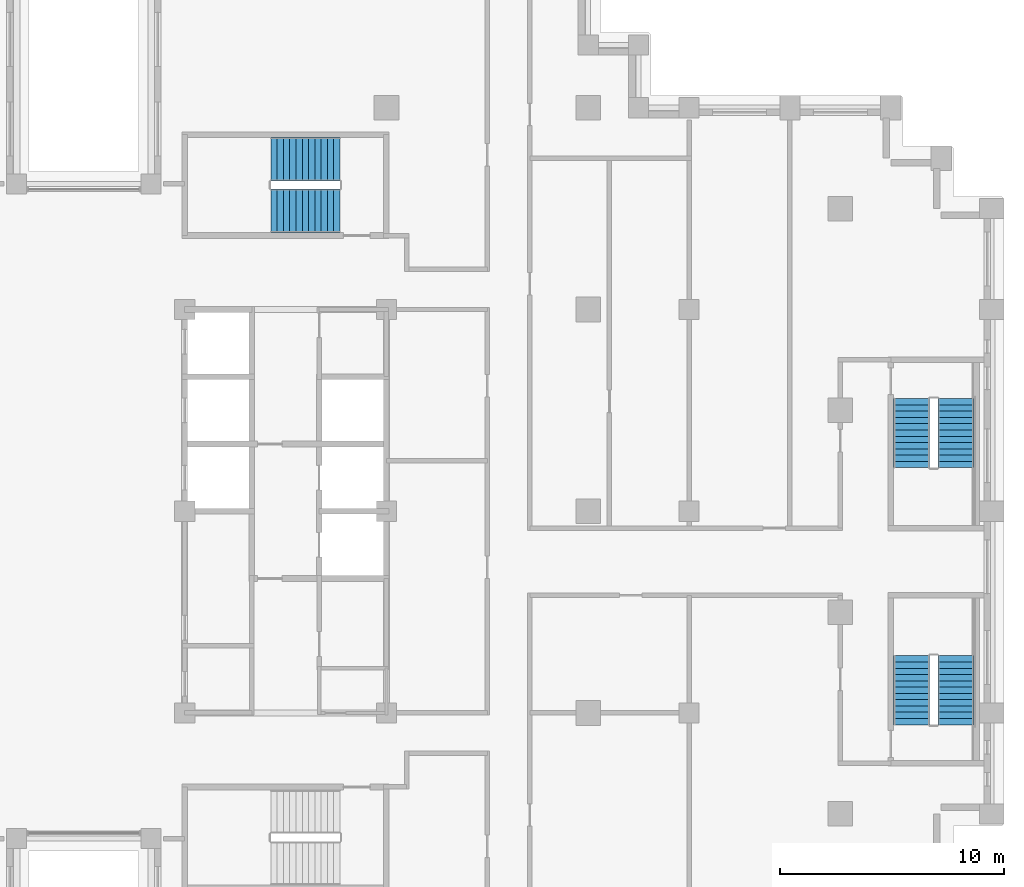
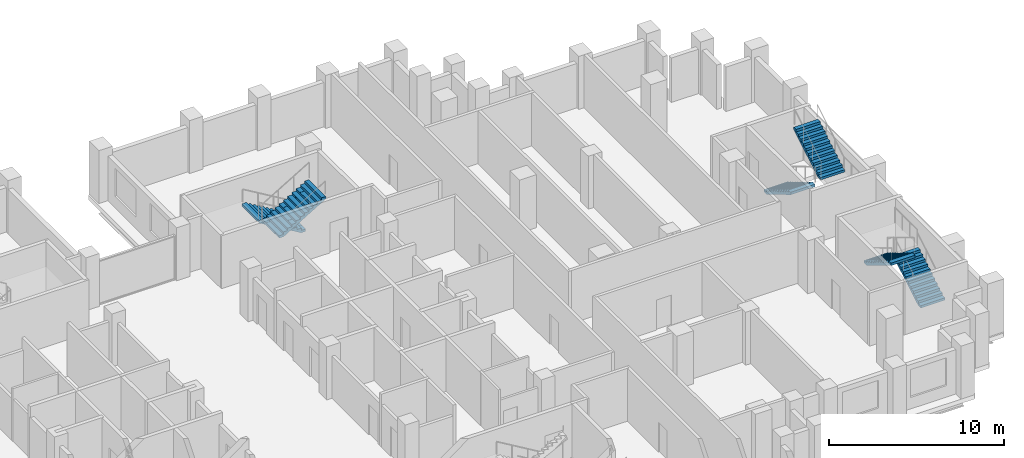
# One storey, part 14 of 16: 6 stair flights, 3 elements without a shape of their own.
"""IFC4 building model written with IfcOpenShell, lengths in metres."""

from ifc_helpers import new_model, si_unit, direction, frame, origin, place, context, subcontext, project, spatial, polyline, outline, extrude, material, type_object, element, aggregate, save


model = new_model("IFC4")

# Units and contexts
model_context = context("Model", 3, precision=1e-05, world=origin(), true_north=direction((0.0, 1.0)))
body_context = subcontext(model_context, "Body", "Model", "MODEL_VIEW")
ifc_project = project(units=[si_unit("LENGTHUNIT", "METRE"), si_unit("AREAUNIT", "SQUARE_METRE"), si_unit("VOLUMEUNIT", "CUBIC_METRE"), si_unit("PLANEANGLEUNIT", "RADIAN"), si_unit("MASSUNIT", "GRAM", prefix="KILO")], contexts=[model_context])

# Site, building, storey
site_placement = place(None, origin())
site = spatial("IfcSite", under=ifc_project, at=site_placement, CompositionType="ELEMENT")
building_placement = place(site_placement, origin())
building = spatial("IfcBuilding", under=site, at=building_placement, Name="Corbelhall Arena Tower", CompositionType="ELEMENT")
storey_placement = place(building_placement, frame((0.0, 0.0, 158.0)))
storey = spatial("IfcBuildingStorey", under=building, at=storey_placement, Name="L31", CompositionType="ELEMENT", Elevation=158.0)

# Stair, stair flights
ifc_material = material(Name="Concrete C40/50", Category="concrete")
stair_type = type_object("IfcStairType", Name="IN-ST-TOWER", PredefinedType="HALF_TURN_STAIR", material=ifc_material)
stair_1_placement = place(storey_placement, origin())
stair_1 = element("IfcStair", 1, at=stair_1_placement, inside=storey, type_object=stair_type, Name="L31 Exit stair ST3", PredefinedType="HALF_TURN_STAIR")
stair_flight_type = type_object("IfcStairFlightType", Name="IN-SFL-RC", PredefinedType="STRAIGHT", material=ifc_material)
stair_flight_1_placement = place(storey_placement, frame((11.425048828125, 15.699951171875, 0.0), z_axis=(0.0, 0.0, 1.0), x_axis=(-1.0, 0.0, 0.0)))
stair_flight_1 = element("IfcStairFlight", 2, at=stair_flight_1_placement, type_object=stair_flight_type, Name="ST3 flight 1", NumberOfRisers=12, NumberOfTreads=11, PredefinedType="STRAIGHT", RiserHeight=0.166666667, TreadLength=0.28, context=body_context, shape_type="SweptSolid", body=[
    extrude(outline(polyline([(0.0, 0.0), (0.0, 0.166748046875), (0.280029296875, 0.166748046875), (0.280029296875, 0.333251953125), (0.56005859375, 0.333251953125), (0.56005859375, 0.5), (0.840087890625, 0.5), (0.840087890625, 0.666748046875), (1.1201171875, 0.666748046875), (1.1201171875, 0.833251953125), (1.39990234375, 0.833251953125), (1.39990234375, 1.0), (1.679931640625, 1.0), (1.679931640625, 1.166748046875), (1.9599609375, 1.166748046875), (1.9599609375, 1.333251953125), (2.239990234375, 1.333251953125), (2.239990234375, 1.5), (2.52001953125, 1.5), (2.52001953125, 1.666748046875), (2.800048828125, 1.666748046875), (2.800048828125, 1.833251953125), (3.080078125, 1.833251953125), (3.080078125, 2.0), (3.080078125, 1.658935546875), (0.29296875, 0.0), (0.0, 0.0)])), frame((0.0, 0.97509765625, 0.0), z_axis=(0.0, -1.0, 0.0), x_axis=(1.0, 0.0, 0.0)), (0.0, 0.0, 1.0), 0.449951171875),
    extrude(outline(polyline([(0.0, 0.0), (0.0, 0.166748046875), (0.280029296875, 0.166748046875), (0.280029296875, 0.333251953125), (0.56005859375, 0.333251953125), (0.56005859375, 0.5), (0.840087890625, 0.5), (0.840087890625, 0.666748046875), (1.1201171875, 0.666748046875), (1.1201171875, 0.833251953125), (1.39990234375, 0.833251953125), (1.39990234375, 1.0), (1.679931640625, 1.0), (1.679931640625, 1.166748046875), (1.9599609375, 1.166748046875), (1.9599609375, 1.333251953125), (2.239990234375, 1.333251953125), (2.239990234375, 1.5), (2.52001953125, 1.5), (2.52001953125, 1.666748046875), (2.800048828125, 1.666748046875), (2.800048828125, 1.833251953125), (3.080078125, 1.833251953125), (3.080078125, 2.0), (3.080078125, 1.658935546875), (0.29296875, 0.0), (0.0, 0.0)])), frame((0.0, 0.52099609375, 0.0), z_axis=(0.0, -1.0, 0.0), x_axis=(1.0, 0.0, 0.0)), (0.0, 0.0, 1.0), 1.0419921875),
    extrude(outline(polyline([(0.0, 0.0), (0.0, 0.166748046875), (0.280029296875, 0.166748046875), (0.280029296875, 0.333251953125), (0.56005859375, 0.333251953125), (0.56005859375, 0.5), (0.840087890625, 0.5), (0.840087890625, 0.666748046875), (1.1201171875, 0.666748046875), (1.1201171875, 0.833251953125), (1.39990234375, 0.833251953125), (1.39990234375, 1.0), (1.679931640625, 1.0), (1.679931640625, 1.166748046875), (1.9599609375, 1.166748046875), (1.9599609375, 1.333251953125), (2.239990234375, 1.333251953125), (2.239990234375, 1.5), (2.52001953125, 1.5), (2.52001953125, 1.666748046875), (2.800048828125, 1.666748046875), (2.800048828125, 1.833251953125), (3.080078125, 1.833251953125), (3.080078125, 2.0), (3.080078125, 1.658935546875), (0.29296875, 0.0), (0.0, 0.0)])), frame((0.0, -0.52490234375, 0.0), z_axis=(0.0, -1.0, 0.0), x_axis=(1.0, 0.0, 0.0)), (0.0, 0.0, 1.0), 0.449951171875),
])
stair_flight_2_placement = place(storey_placement, frame((8.344970703125, 13.39990234375, 2.0), z_axis=(0.0, 0.0, 1.0), x_axis=(1.0, 0.0, 0.0)))
stair_flight_2 = element("IfcStairFlight", 3, at=stair_flight_2_placement, type_object=stair_flight_type, Name="ST3 flight 2", NumberOfRisers=12, NumberOfTreads=11, PredefinedType="STRAIGHT", RiserHeight=0.166666667, TreadLength=0.28, context=body_context, shape_type="SweptSolid", body=[
    extrude(outline(polyline([(0.0, 0.0), (0.0, 0.166748046875), (0.280029296875, 0.166748046875), (0.280029296875, 0.333251953125), (0.56005859375, 0.333251953125), (0.56005859375, 0.5), (0.840087890625, 0.5), (0.840087890625, 0.666748046875), (1.1201171875, 0.666748046875), (1.1201171875, 0.833251953125), (1.39990234375, 0.833251953125), (1.39990234375, 1.0), (1.679931640625, 1.0), (1.679931640625, 1.166748046875), (1.9599609375, 1.166748046875), (1.9599609375, 1.333251953125), (2.239990234375, 1.333251953125), (2.239990234375, 1.5), (2.52001953125, 1.5), (2.52001953125, 1.666748046875), (2.800048828125, 1.666748046875), (2.800048828125, 1.833251953125), (3.080078125, 1.833251953125), (3.080078125, 2.0), (3.080078125, 1.658935546875), (0.29296875, 0.0), (0.0, 0.0)])), frame((0.0, 0.97509765625, 0.0), z_axis=(0.0, -1.0, 0.0), x_axis=(1.0, 0.0, 0.0)), (0.0, 0.0, 1.0), 0.449951171875),
    extrude(outline(polyline([(0.0, 0.0), (0.0, 0.166748046875), (0.280029296875, 0.166748046875), (0.280029296875, 0.333251953125), (0.56005859375, 0.333251953125), (0.56005859375, 0.5), (0.840087890625, 0.5), (0.840087890625, 0.666748046875), (1.1201171875, 0.666748046875), (1.1201171875, 0.833251953125), (1.39990234375, 0.833251953125), (1.39990234375, 1.0), (1.679931640625, 1.0), (1.679931640625, 1.166748046875), (1.9599609375, 1.166748046875), (1.9599609375, 1.333251953125), (2.239990234375, 1.333251953125), (2.239990234375, 1.5), (2.52001953125, 1.5), (2.52001953125, 1.666748046875), (2.800048828125, 1.666748046875), (2.800048828125, 1.833251953125), (3.080078125, 1.833251953125), (3.080078125, 2.0), (3.080078125, 1.658935546875), (0.29296875, 0.0), (0.0, 0.0)])), frame((0.0, 0.52099609375, 0.0), z_axis=(0.0, -1.0, 0.0), x_axis=(1.0, 0.0, 0.0)), (0.0, 0.0, 1.0), 1.0419921875),
    extrude(outline(polyline([(0.0, 0.0), (0.0, 0.166748046875), (0.280029296875, 0.166748046875), (0.280029296875, 0.333251953125), (0.56005859375, 0.333251953125), (0.56005859375, 0.5), (0.840087890625, 0.5), (0.840087890625, 0.666748046875), (1.1201171875, 0.666748046875), (1.1201171875, 0.833251953125), (1.39990234375, 0.833251953125), (1.39990234375, 1.0), (1.679931640625, 1.0), (1.679931640625, 1.166748046875), (1.9599609375, 1.166748046875), (1.9599609375, 1.333251953125), (2.239990234375, 1.333251953125), (2.239990234375, 1.5), (2.52001953125, 1.5), (2.52001953125, 1.666748046875), (2.800048828125, 1.666748046875), (2.800048828125, 1.833251953125), (3.080078125, 1.833251953125), (3.080078125, 2.0), (3.080078125, 1.658935546875), (0.29296875, 0.0), (0.0, 0.0)])), frame((0.0, -0.52490234375, 0.0), z_axis=(0.0, -1.0, 0.0), x_axis=(1.0, 0.0, 0.0)), (0.0, 0.0, 1.0), 0.449951171875),
])
aggregate(stair_1, [stair_flight_1, stair_flight_2])

stair_2_placement = place(storey_placement, origin())
stair_2 = element("IfcStair", 4, at=stair_2_placement, inside=storey, type_object=stair_type, Name="L31 Exit stair SD1", PredefinedType="HALF_TURN_STAIR")
stair_flight_3_placement = place(storey_placement, frame((38.89990234375, -9.52490234375, 0.0), z_axis=(0.0, 0.0, 1.0), x_axis=(0.0, 1.0, 0.0)))
stair_flight_3 = element("IfcStairFlight", 5, at=stair_flight_3_placement, type_object=stair_flight_type, Name="SD1 flight 1", NumberOfRisers=12, NumberOfTreads=11, PredefinedType="STRAIGHT", RiserHeight=0.166666667, TreadLength=0.28, context=body_context, shape_type="SweptSolid", body=[
    extrude(outline(polyline([(0.0, 0.0), (0.0, 0.166748046875), (0.280029296875, 0.166748046875), (0.280029296875, 0.333251953125), (0.56005859375, 0.333251953125), (0.56005859375, 0.5), (0.840087890625, 0.5), (0.840087890625, 0.666748046875), (1.1201171875, 0.666748046875), (1.1201171875, 0.833251953125), (1.39990234375, 0.833251953125), (1.39990234375, 1.0), (1.679931640625, 1.0), (1.679931640625, 1.166748046875), (1.9599609375, 1.166748046875), (1.9599609375, 1.333251953125), (2.239990234375, 1.333251953125), (2.239990234375, 1.5), (2.52001953125, 1.5), (2.52001953125, 1.666748046875), (2.800048828125, 1.666748046875), (2.800048828125, 1.833251953125), (3.080078125, 1.833251953125), (3.080078125, 2.0), (3.080078125, 1.658935546875), (0.29296875, 0.0), (0.0, 0.0)])), frame((0.0, 0.800048828125, 0.0), z_axis=(0.0, -1.0, 0.0), x_axis=(1.0, 0.0, 0.0)), (0.0, 0.0, 1.0), 1.60009765625),
])
stair_flight_4_placement = place(storey_placement, frame((36.925048828125, -6.445068359375, 2.0), z_axis=(0.0, 0.0, 1.0), x_axis=(0.0, -1.0, 0.0)))
stair_flight_4 = element("IfcStairFlight", 6, at=stair_flight_4_placement, type_object=stair_flight_type, Name="SD1 flight 2", NumberOfRisers=12, NumberOfTreads=11, PredefinedType="STRAIGHT", RiserHeight=0.166666667, TreadLength=0.28, context=body_context, shape_type="SweptSolid", body=[
    extrude(outline(polyline([(0.0, 0.0), (0.0, 0.166748046875), (0.280029296875, 0.166748046875), (0.280029296875, 0.333251953125), (0.56005859375, 0.333251953125), (0.56005859375, 0.5), (0.840087890625, 0.5), (0.840087890625, 0.666748046875), (1.1201171875, 0.666748046875), (1.1201171875, 0.833251953125), (1.39990234375, 0.833251953125), (1.39990234375, 1.0), (1.679931640625, 1.0), (1.679931640625, 1.166748046875), (1.9599609375, 1.166748046875), (1.9599609375, 1.333251953125), (2.239990234375, 1.333251953125), (2.239990234375, 1.5), (2.52001953125, 1.5), (2.52001953125, 1.666748046875), (2.800048828125, 1.666748046875), (2.800048828125, 1.833251953125), (3.080078125, 1.833251953125), (3.080078125, 2.0), (3.080078125, 1.658935546875), (0.29296875, 0.0), (0.0, 0.0)])), frame((0.0, 0.800048828125, 0.0), z_axis=(0.0, -1.0, 0.0), x_axis=(1.0, 0.0, 0.0)), (0.0, 0.0, 1.0), 1.60009765625),
])
aggregate(stair_2, [stair_flight_3, stair_flight_4])

stair_3_placement = place(storey_placement, origin())
stair_3 = element("IfcStair", 7, at=stair_3_placement, inside=storey, type_object=stair_type, Name="L31 Exit stair SD2", PredefinedType="HALF_TURN_STAIR")
stair_flight_5_placement = place(storey_placement, frame((36.925048828125, 5.02490234375, 0.0), z_axis=(0.0, 0.0, 1.0), x_axis=(0.0, -1.0, 0.0)))
stair_flight_5 = element("IfcStairFlight", 8, at=stair_flight_5_placement, type_object=stair_flight_type, Name="SD2 flight 1", NumberOfRisers=12, NumberOfTreads=11, PredefinedType="STRAIGHT", RiserHeight=0.166666667, TreadLength=0.28, context=body_context, shape_type="SweptSolid", body=[
    extrude(outline(polyline([(0.0, 0.0), (0.0, 0.166748046875), (0.280029296875, 0.166748046875), (0.280029296875, 0.333251953125), (0.56005859375, 0.333251953125), (0.56005859375, 0.5), (0.840087890625, 0.5), (0.840087890625, 0.666748046875), (1.1201171875, 0.666748046875), (1.1201171875, 0.833251953125), (1.39990234375, 0.833251953125), (1.39990234375, 1.0), (1.679931640625, 1.0), (1.679931640625, 1.166748046875), (1.9599609375, 1.166748046875), (1.9599609375, 1.333251953125), (2.239990234375, 1.333251953125), (2.239990234375, 1.5), (2.52001953125, 1.5), (2.52001953125, 1.666748046875), (2.800048828125, 1.666748046875), (2.800048828125, 1.833251953125), (3.080078125, 1.833251953125), (3.080078125, 2.0), (3.080078125, 1.658935546875), (0.29296875, 0.0), (0.0, 0.0)])), frame((0.0, 0.800048828125, 0.0), z_axis=(0.0, -1.0, 0.0), x_axis=(1.0, 0.0, 0.0)), (0.0, 0.0, 1.0), 1.60009765625),
])
stair_flight_6_placement = place(storey_placement, frame((38.89990234375, 1.945068359375, 2.0), z_axis=(0.0, 0.0, 1.0), x_axis=(0.0, 1.0, 0.0)))
stair_flight_6 = element("IfcStairFlight", 9, at=stair_flight_6_placement, type_object=stair_flight_type, Name="SD2 flight 2", NumberOfRisers=12, NumberOfTreads=11, PredefinedType="STRAIGHT", RiserHeight=0.166666667, TreadLength=0.28, context=body_context, shape_type="SweptSolid", body=[
    extrude(outline(polyline([(0.0, 0.0), (0.0, 0.166748046875), (0.280029296875, 0.166748046875), (0.280029296875, 0.333251953125), (0.56005859375, 0.333251953125), (0.56005859375, 0.5), (0.840087890625, 0.5), (0.840087890625, 0.666748046875), (1.1201171875, 0.666748046875), (1.1201171875, 0.833251953125), (1.39990234375, 0.833251953125), (1.39990234375, 1.0), (1.679931640625, 1.0), (1.679931640625, 1.166748046875), (1.9599609375, 1.166748046875), (1.9599609375, 1.333251953125), (2.239990234375, 1.333251953125), (2.239990234375, 1.5), (2.52001953125, 1.5), (2.52001953125, 1.666748046875), (2.800048828125, 1.666748046875), (2.800048828125, 1.833251953125), (3.080078125, 1.833251953125), (3.080078125, 2.0), (3.080078125, 1.658935546875), (0.29296875, 0.0), (0.0, 0.0)])), frame((0.0, 0.800048828125, 0.0), z_axis=(0.0, -1.0, 0.0), x_axis=(1.0, 0.0, 0.0)), (0.0, 0.0, 1.0), 1.60009765625),
])
aggregate(stair_3, [stair_flight_5, stair_flight_6])

save(model, "model.ifc")
